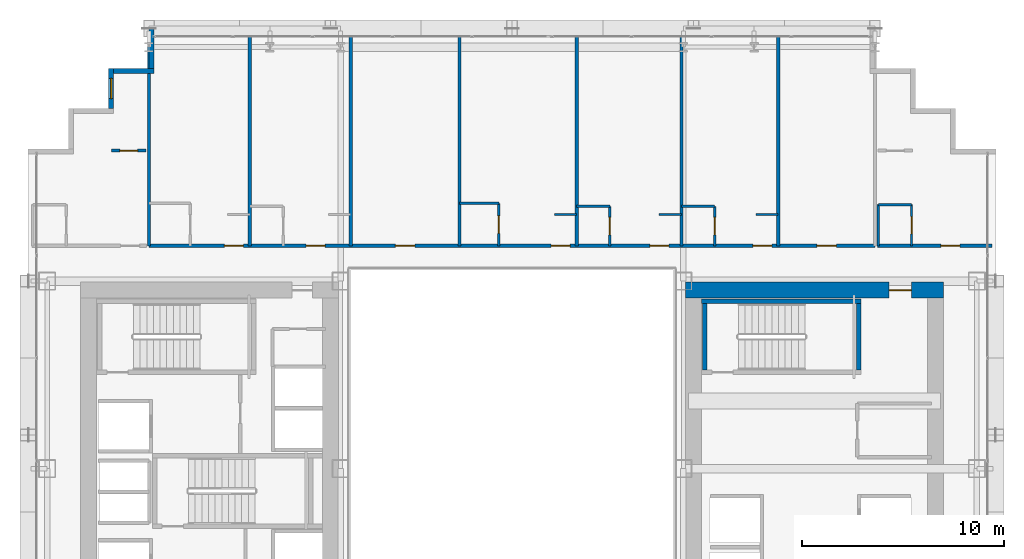
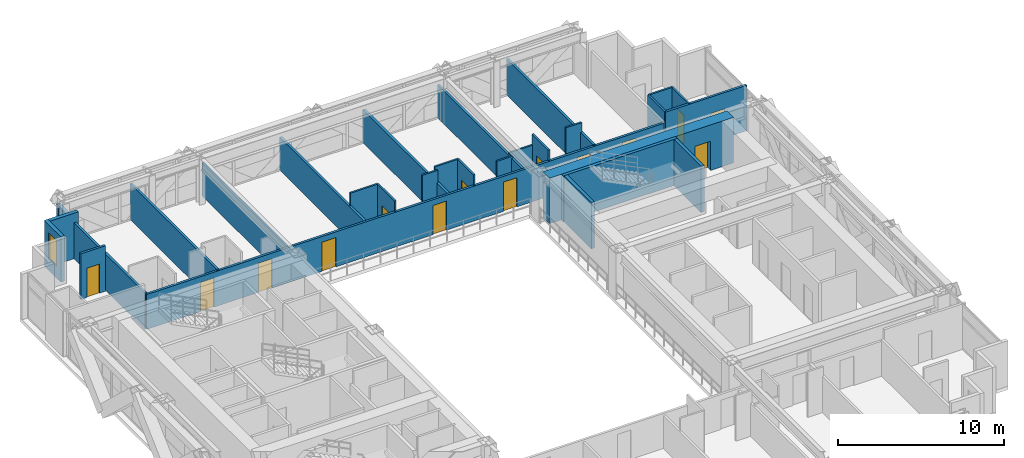
# One storey, part 33 of 38: 29 walls, 14 doors, 1 window, 15 openings.
"""IFC4 building model written with IfcOpenShell, lengths in metres."""

from ifc_helpers import new_model, si_unit, direction, frame, frame_2d, origin, place, context, subcontext, project, spatial, rectangle, extrude, source, transform, mapped, material, layer, layer_set, type_object, element, fill, save


model = new_model("IFC4")

# Units and contexts
model_context = context("Model", 3, precision=1e-05, world=origin(), true_north=direction((0.0, 1.0)))
body_context = subcontext(model_context, "Body", "Model", "MODEL_VIEW")
ifc_project = project(units=[si_unit("LENGTHUNIT", "METRE"), si_unit("AREAUNIT", "SQUARE_METRE"), si_unit("VOLUMEUNIT", "CUBIC_METRE"), si_unit("PLANEANGLEUNIT", "RADIAN"), si_unit("MASSUNIT", "GRAM", prefix="KILO")], contexts=[model_context])

# Site, building, storey
site_placement = place(None, origin())
site = spatial("IfcSite", under=ifc_project, at=site_placement, CompositionType="ELEMENT")
building_placement = place(site_placement, origin())
building = spatial("IfcBuilding", under=site, at=building_placement, Name="Ocotamira Hotel", CompositionType="ELEMENT")
storey_placement = place(building_placement, frame((0.0, 0.0, 74.39990234375)))
storey = spatial("IfcBuildingStorey", under=building, at=storey_placement, Name="L18", CompositionType="ELEMENT", Elevation=74.39990234375)

# Wall, opening, door
ifc_material_1 = material(Name="Concrete C60/75", Category="concrete")
ifc_layer_1 = layer(ifc_material_1, 0.800048828125)
ifc_layer_set_1 = layer_set([ifc_layer_1], Name="Concrete C60/75")
wall_type_1 = type_object("IfcWallType", Name="WL-CORE-800", PredefinedType="SHEAR", material=ifc_layer_set_1)
wall_1_placement = place(storey_placement, frame((40.60009765625, 37.0, 0.0), z_axis=(0.0, 0.0, 1.0), x_axis=(1.0, 0.0, 0.0)))
wall_1 = element("IfcWall", 1, at=wall_1_placement, inside=storey, type_object=wall_type_1, Name="L18 Shear Core Wall ECORE-N", PredefinedType="SHEAR", context=body_context, shape_type="SweptSolid", body=[
    extrude(rectangle(XDim=12.7998046875, YDim=0.800048828125, at=frame_2d((6.39990234375, 0.0))), origin(), (0.0, 0.0, 1.0), 3.35009765625),
])
opening_1_placement = place(wall_1_placement, frame((10.10009765625, 0.0, 0.0)))
opening_1 = element("IfcOpeningElement", 2, at=opening_1_placement, cuts=wall_1, Name="Opening D-FR1", PredefinedType="OPENING", context=body_context, shape_type="SweptSolid", body=[
    extrude(rectangle(XDim=1.10009765625, YDim=2.14990234375, at=frame_2d((0.550048828125, 1.074951171875))), frame((0.0, 0.41015625, 0.0), z_axis=(0.0, -1.0, 0.0), x_axis=(1.0, 0.0, 0.0)), (0.0, 0.0, 1.0), 0.820068359375),
])
ifc_material_2 = material(Name="Fire-rated acoustic timber-veneer door", Category="wood")
door_type_1 = type_object("IfcDoorType", Name="DR-FIRE-1100", OperationType="NOTDEFINED", PredefinedType="DOOR", material=ifc_material_2)
shared_shape_1 = source(origin(), body_context, "Body", "SweptSolid", [
    extrude(rectangle(XDim=1.10009765625, YDim=2.14990234375, at=frame_2d((0.550048828125, 1.074951171875))), frame((0.0, 0.02490234375, 0.0), z_axis=(0.0, -1.0, 0.0), x_axis=(1.0, 0.0, 0.0)), (0.0, 0.0, 1.0), 0.050048828125),
])
door_1_placement = place(opening_1_placement, origin())
door_1 = element("IfcDoor", 3, at=door_1_placement, inside=storey, type_object=door_type_1, Name="L18 Door ID-L18-ELOB-N-D [ID-L18-ELOB-N-D]", OperationType="SINGLE_SWING_LEFT", OverallHeight=2.14990234375, OverallWidth=1.10009765625, PredefinedType="DOOR", context=body_context, shape_type="MappedRepresentation", body=[
    mapped(shared_shape_1, transform((0.0, 0.0, 0.0), scale=1.0)),
])
fill(opening_1, door_1)

# Walls
ifc_material_3 = material(Name="Precast concrete C45/55", Category="concrete")
ifc_layer_2 = layer(ifc_material_3, 0.25)
ifc_layer_set_2 = layer_set([ifc_layer_2], Name="Precast concrete C45/55")
wall_type_2 = type_object("IfcWallType", Name="WL-EXT-SER-250", PredefinedType="SOLIDWALL", material=ifc_layer_set_2)
wall_2_placement = place(storey_placement, frame((14.125, 50.0, 0.0), z_axis=(0.0, 0.0, 1.0), x_axis=(0.0, -1.0, 0.0)))
element("IfcWall", 4, at=wall_2_placement, inside=storey, type_object=wall_type_2, Name="L18 Serrated Corner Wall 13", PredefinedType="SOLIDWALL", context=body_context, shape_type="SweptSolid", body=[
    extrude(rectangle(XDim=2.0, YDim=0.25, at=frame_2d((1.0, 0.0))), origin(), (0.0, 0.0, 1.0), 2.656982421875),
])
wall_3_placement = place(storey_placement, frame((14.25, 47.875, 0.0), z_axis=(0.0, 0.0, 1.0), x_axis=(-1.0, 0.0, 0.0)))
element("IfcWall", 5, at=wall_3_placement, inside=storey, type_object=wall_type_2, Name="L18 Serrated Corner Wall 14", PredefinedType="SOLIDWALL", context=body_context, shape_type="SweptSolid", body=[
    extrude(rectangle(XDim=2.0, YDim=0.25, at=frame_2d((1.0, 0.0))), origin(), (0.0, 0.0, 1.0), 3.35009765625),
])

# Wall, opening, window
wall_4_placement = place(storey_placement, frame((12.125, 48.0, 0.0), z_axis=(0.0, 0.0, 1.0), x_axis=(0.0, -1.0, 0.0)))
wall_4 = element("IfcWall", 6, at=wall_4_placement, inside=storey, type_object=wall_type_2, Name="L18 Serrated Corner Wall 15", PredefinedType="SOLIDWALL", context=body_context, shape_type="SweptSolid", body=[
    extrude(rectangle(XDim=2.0, YDim=0.25, at=frame_2d((1.0, 0.0))), origin(), (0.0, 0.0, 1.0), 3.35009765625),
])
opening_2_placement = place(wall_4_placement, frame((0.5, 0.0, 0.85009765625)))
opening_2 = element("IfcOpeningElement", 7, at=opening_2_placement, cuts=wall_4, Name="Opening WN-2", PredefinedType="OPENING", context=body_context, shape_type="SweptSolid", body=[
    extrude(rectangle(XDim=1.0, YDim=1.89990234375, at=frame_2d((0.5, 0.949951171875))), frame((0.0, 0.135009765625, 0.0), z_axis=(0.0, -1.0, 0.0), x_axis=(1.0, 0.0, 0.0)), (0.0, 0.0, 1.0), 0.27001953125),
])
ifc_material_4 = material(Name="Double-silver low-E solar glass", Category="glass")
window_type = type_object("IfcWindowType", Name="WIN-SER-1100", PartitioningType="SINGLE_PANEL", PredefinedType="WINDOW", material=ifc_material_4)
shared_shape_2 = source(origin(), body_context, "Body", "SweptSolid", [
    extrude(rectangle(XDim=1.0, YDim=1.89990234375, at=frame_2d((0.5, 0.949951171875))), frame((0.0, 0.030029296875, 0.0), z_axis=(0.0, -1.0, 0.0), x_axis=(1.0, 0.0, 0.0)), (0.0, 0.0, 1.0), 0.06005859375),
])
window_placement = place(opening_2_placement, origin())
window = element("IfcWindow", 8, at=window_placement, inside=storey, type_object=window_type, Name="L18 Serrated Corner Window 15", OverallHeight=1.89990234375, OverallWidth=1.0, PartitioningType="SINGLE_PANEL", PredefinedType="WINDOW", context=body_context, shape_type="MappedRepresentation", body=[
    mapped(shared_shape_2, transform((0.0, 0.0, 0.0), scale=1.0)),
])
fill(opening_2, window)

# Wall, opening, door
ifc_material_5 = material(Name="Acoustic double-layer fire gypsum board partition", Category="gypsum")
ifc_layer_3 = layer(ifc_material_5, 0.159912109375)
ifc_layer_set_3 = layer_set([ifc_layer_3], Name="Acoustic double-layer fire gypsum board partition")
wall_type_3 = type_object("IfcWallType", Name="WL-FIRE-160", PredefinedType="PARTITIONING", material=ifc_layer_set_3)
wall_5_placement = place(storey_placement, frame((50.1201171875, 39.199951171875, 0.0), z_axis=(0.0, 0.0, 1.0), x_axis=(1.0, 0.0, 0.0)))
wall_5 = element("IfcWall", 9, at=wall_5_placement, inside=storey, type_object=wall_type_3, Name="L18 Interior Wall PW-L18-Z1D-CNE-CW", PredefinedType="PARTITIONING", context=body_context, shape_type="SweptSolid", body=[
    extrude(rectangle(XDim=5.679931640625, YDim=0.159912109375, at=frame_2d((2.83984375, 0.0))), origin(), (0.0, 0.0, 1.0), 3.35009765625),
])
opening_3_placement = place(wall_5_placement, frame((3.14990234375, 0.0, 0.0)))
opening_3 = element("IfcOpeningElement", 10, at=opening_3_placement, cuts=wall_5, Name="Opening D-GR1", PredefinedType="OPENING", context=body_context, shape_type="SweptSolid", body=[
    extrude(rectangle(XDim=0.93994140625, YDim=2.14990234375, at=frame_2d((0.469970703125, 1.074951171875))), frame((0.0, 0.08984375, 0.0), z_axis=(0.0, -1.0, 0.0), x_axis=(1.0, 0.0, 0.0)), (0.0, 0.0, 1.0), 0.179931640625),
])
ifc_material_6 = material(Name="Solid-core walnut suite entrance fire door", Category="wood")
door_type_2 = type_object("IfcDoorType", Name="DR-GUEST-940", OperationType="NOTDEFINED", PredefinedType="DOOR", material=ifc_material_6)
shared_shape_3 = source(origin(), body_context, "Body", "SweptSolid", [
    extrude(rectangle(XDim=0.93994140625, YDim=2.14990234375, at=frame_2d((0.469970703125, 1.074951171875))), frame((0.0, 0.02490234375, 0.0), z_axis=(0.0, -1.0, 0.0), x_axis=(1.0, 0.0, 0.0)), (0.0, 0.0, 1.0), 0.050048828125),
])
door_2_placement = place(opening_3_placement, origin())
door_2 = element("IfcDoor", 11, at=door_2_placement, inside=storey, type_object=door_type_2, Name="L18 Door ID-L18-Z1D-CNE-CD [ID-L18-Z1D-CNE-CD]", OperationType="SINGLE_SWING_RIGHT", OverallHeight=2.14990234375, OverallWidth=0.93994140625, PredefinedType="DOOR", context=body_context, shape_type="MappedRepresentation", body=[
    mapped(shared_shape_3, transform((0.0, 0.0, 0.0), scale=1.0)),
])
fill(opening_3, door_2)

wall_6_placement = place(storey_placement, frame((12.14990234375, 43.919921875, 0.0), z_axis=(0.0, 0.0, 1.0), x_axis=(1.0, 0.0, 0.0)))
wall_6 = element("IfcWall", 12, at=wall_6_placement, inside=storey, type_object=wall_type_3, Name="L18 Interior Wall PW-L18-Z1D-CNW2-CW", PredefinedType="PARTITIONING", context=body_context, shape_type="SweptSolid", body=[
    extrude(rectangle(XDim=1.7001953125, YDim=0.159912109375, at=frame_2d((0.85009765625, 0.0))), origin(), (0.0, 0.0, 1.0), 3.35009765625),
])
opening_4_placement = place(wall_6_placement, frame((0.409912109375, 0.0, 0.0)))
opening_4 = element("IfcOpeningElement", 13, at=opening_4_placement, cuts=wall_6, Name="Opening D-SV2", PredefinedType="OPENING", context=body_context, shape_type="SweptSolid", body=[
    extrude(rectangle(XDim=0.8798828125, YDim=2.14990234375, at=frame_2d((0.43994140625, 1.074951171875))), frame((0.0, 0.08984375, 0.0), z_axis=(0.0, -1.0, 0.0), x_axis=(1.0, 0.0, 0.0)), (0.0, 0.0, 1.0), 0.179931640625),
])
ifc_material_7 = material(Name="Fire-rated painted steel service door", Category="steel")
door_type_3 = type_object("IfcDoorType", Name="DR-SERV-880", OperationType="NOTDEFINED", PredefinedType="DOOR", material=ifc_material_7)
shared_shape_4 = source(origin(), body_context, "Body", "SweptSolid", [
    extrude(rectangle(XDim=0.8798828125, YDim=2.14990234375, at=frame_2d((0.43994140625, 1.074951171875))), frame((0.0, 0.02490234375, 0.0), z_axis=(0.0, -1.0, 0.0), x_axis=(1.0, 0.0, 0.0)), (0.0, 0.0, 1.0), 0.050048828125),
])
door_3_placement = place(opening_4_placement, origin())
door_3 = element("IfcDoor", 14, at=door_3_placement, inside=storey, type_object=door_type_3, Name="L18 Door ID-L18-Z1D-CNW2-CD [ID-L18-Z1D-CNW2-CD]", OperationType="SINGLE_SWING_LEFT", OverallHeight=2.14990234375, OverallWidth=0.8798828125, PredefinedType="DOOR", context=body_context, shape_type="MappedRepresentation", body=[
    mapped(shared_shape_4, transform((0.0, 0.0, 0.0), scale=1.0)),
])
fill(opening_4, door_3)

# Wall, openings, doors
wall_7_placement = place(storey_placement, frame((14.0, 39.199951171875, 0.0), z_axis=(0.0, 0.0, 1.0), x_axis=(1.0, 0.0, 0.0)))
wall_7 = element("IfcWall", 15, at=wall_7_placement, inside=storey, type_object=wall_type_3, Name="L18 Interior Wall PW-L18-Z1DN-CORRW", PredefinedType="PARTITIONING", context=body_context, shape_type="SweptSolid", body=[
    extrude(rectangle(XDim=36.0, YDim=0.159912109375, at=frame_2d((18.0, 0.0))), origin(), (0.0, 0.0, 1.0), 2.571044921875),
])
opening_5_placement = place(wall_7_placement, frame((3.739990234375, 0.0, 0.0)))
opening_5 = element("IfcOpeningElement", 16, at=opening_5_placement, cuts=wall_7, Name="Opening D-GR1", PredefinedType="OPENING", context=body_context, shape_type="SweptSolid", body=[
    extrude(rectangle(XDim=0.93994140625, YDim=2.14990234375, at=frame_2d((0.469970703125, 1.074951171875))), frame((0.0, 0.08984375, 0.0), z_axis=(0.0, -1.0, 0.0), x_axis=(1.0, 0.0, 0.0)), (0.0, 0.0, 1.0), 0.179931640625),
])
opening_6_placement = place(wall_7_placement, frame((7.7900390625, 0.0, 0.0)))
opening_6 = element("IfcOpeningElement", 17, at=opening_6_placement, cuts=wall_7, Name="Opening D-GR1", PredefinedType="OPENING", context=body_context, shape_type="SweptSolid", body=[
    extrude(rectangle(XDim=0.93994140625, YDim=2.14990234375, at=frame_2d((0.469970703125, 1.074951171875))), frame((0.0, 0.08984375, 0.0), z_axis=(0.0, -1.0, 0.0), x_axis=(1.0, 0.0, 0.0)), (0.0, 0.0, 1.0), 0.179931640625),
])
opening_7_placement = place(wall_7_placement, frame((12.219970703125, 0.0, 0.0)))
opening_7 = element("IfcOpeningElement", 18, at=opening_7_placement, cuts=wall_7, Name="Opening D-SV4", PredefinedType="OPENING", context=body_context, shape_type="SweptSolid", body=[
    extrude(rectangle(XDim=0.9599609375, YDim=2.14990234375, at=frame_2d((0.47998046875, 1.074951171875))), frame((0.0, 0.08984375, 0.0), z_axis=(0.0, -1.0, 0.0), x_axis=(1.0, 0.0, 0.0)), (0.0, 0.0, 1.0), 0.179931640625),
])
opening_8_placement = place(wall_7_placement, frame((19.93994140625, 0.0, 0.0)))
opening_8 = element("IfcOpeningElement", 19, at=opening_8_placement, cuts=wall_7, Name="Opening D-GR1", PredefinedType="OPENING", context=body_context, shape_type="SweptSolid", body=[
    extrude(rectangle(XDim=0.93994140625, YDim=2.14990234375, at=frame_2d((0.469970703125, 1.074951171875))), frame((0.0, 0.08984375, 0.0), z_axis=(0.0, -1.0, 0.0), x_axis=(1.0, 0.0, 0.0)), (0.0, 0.0, 1.0), 0.179931640625),
])
opening_9_placement = place(wall_7_placement, frame((24.840087890625, 0.0, 0.0)))
opening_9 = element("IfcOpeningElement", 20, at=opening_9_placement, cuts=wall_7, Name="Opening D-GR1", PredefinedType="OPENING", context=body_context, shape_type="SweptSolid", body=[
    extrude(rectangle(XDim=0.93994140625, YDim=2.14990234375, at=frame_2d((0.469970703125, 1.074951171875))), frame((0.0, 0.08984375, 0.0), z_axis=(0.0, -1.0, 0.0), x_axis=(1.0, 0.0, 0.0)), (0.0, 0.0, 1.0), 0.179931640625),
])
opening_10_placement = place(wall_7_placement, frame((29.93994140625, 0.0, 0.0)))
opening_10 = element("IfcOpeningElement", 21, at=opening_10_placement, cuts=wall_7, Name="Opening D-GR1", PredefinedType="OPENING", context=body_context, shape_type="SweptSolid", body=[
    extrude(rectangle(XDim=0.93994140625, YDim=2.14990234375, at=frame_2d((0.469970703125, 1.074951171875))), frame((0.0, 0.08984375, 0.0), z_axis=(0.0, -1.0, 0.0), x_axis=(1.0, 0.0, 0.0)), (0.0, 0.0, 1.0), 0.179931640625),
])
opening_11_placement = place(wall_7_placement, frame((33.1201171875, 0.0, 0.0)))
opening_11 = element("IfcOpeningElement", 22, at=opening_11_placement, cuts=wall_7, Name="Opening D-SV4", PredefinedType="OPENING", context=body_context, shape_type="SweptSolid", body=[
    extrude(rectangle(XDim=0.9599609375, YDim=2.14990234375, at=frame_2d((0.47998046875, 1.074951171875))), frame((0.0, 0.08984375, 0.0), z_axis=(0.0, -1.0, 0.0), x_axis=(1.0, 0.0, 0.0)), (0.0, 0.0, 1.0), 0.179931640625),
])
ifc_material_8 = material(Name="Fire-rated accessible walnut salon door", Category="wood")
door_type_4 = type_object("IfcDoorType", Name="DR-SERV-960", OperationType="NOTDEFINED", PredefinedType="DOOR", material=ifc_material_8)
shared_shape_5 = source(origin(), body_context, "Body", "SweptSolid", [
    extrude(rectangle(XDim=0.9599609375, YDim=2.14990234375, at=frame_2d((0.47998046875, 1.074951171875))), frame((0.0, 0.02490234375, 0.0), z_axis=(0.0, -1.0, 0.0), x_axis=(1.0, 0.0, 0.0)), (0.0, 0.0, 1.0), 0.050048828125),
])
door_4_placement = place(opening_7_placement, origin())
door_4 = element("IfcDoor", 23, at=door_4_placement, inside=storey, type_object=door_type_4, Name="L18 Door ID-L18-Z1DN-AMD3 [ID-L18-Z1DN-AMD3]", OperationType="SINGLE_SWING_LEFT", OverallHeight=2.14990234375, OverallWidth=0.9599609375, PredefinedType="DOOR", context=body_context, shape_type="MappedRepresentation", body=[
    mapped(shared_shape_5, transform((0.0, 0.0, 0.0), scale=1.0)),
])
fill(opening_7, door_4)
door_5_placement = place(opening_11_placement, origin())
door_5 = element("IfcDoor", 24, at=door_5_placement, inside=storey, type_object=door_type_4, Name="L18 Door ID-L18-Z1DN-AMD7 [ID-L18-Z1DN-AMD7]", OperationType="SINGLE_SWING_LEFT", OverallHeight=2.14990234375, OverallWidth=0.9599609375, PredefinedType="DOOR", context=body_context, shape_type="MappedRepresentation", body=[
    mapped(shared_shape_5, transform((0.0, 0.0, 0.0), scale=1.0)),
])
fill(opening_11, door_5)
door_6_placement = place(opening_5_placement, origin())
door_6 = element("IfcDoor", 25, at=door_6_placement, inside=storey, type_object=door_type_2, Name="L18 Door ID-L18-Z1DN-RMD1 [ID-L18-Z1DN-RMD1]", OperationType="SINGLE_SWING_LEFT", OverallHeight=2.14990234375, OverallWidth=0.93994140625, PredefinedType="DOOR", context=body_context, shape_type="MappedRepresentation", body=[
    mapped(shared_shape_3, transform((0.0, 0.0, 0.0), scale=1.0)),
])
fill(opening_5, door_6)
door_7_placement = place(opening_6_placement, origin())
door_7 = element("IfcDoor", 26, at=door_7_placement, inside=storey, type_object=door_type_2, Name="L18 Door ID-L18-Z1DN-RMD2 [ID-L18-Z1DN-RMD2]", OperationType="SINGLE_SWING_RIGHT", OverallHeight=2.14990234375, OverallWidth=0.93994140625, PredefinedType="DOOR", context=body_context, shape_type="MappedRepresentation", body=[
    mapped(shared_shape_3, transform((0.0, 0.0, 0.0), scale=1.0)),
])
fill(opening_6, door_7)
door_8_placement = place(opening_8_placement, origin())
door_8 = element("IfcDoor", 27, at=door_8_placement, inside=storey, type_object=door_type_2, Name="L18 Door ID-L18-Z1DN-RMD4 [ID-L18-Z1DN-RMD4]", OperationType="SINGLE_SWING_RIGHT", OverallHeight=2.14990234375, OverallWidth=0.93994140625, PredefinedType="DOOR", context=body_context, shape_type="MappedRepresentation", body=[
    mapped(shared_shape_3, transform((0.0, 0.0, 0.0), scale=1.0)),
])
fill(opening_8, door_8)
door_9_placement = place(opening_9_placement, origin())
door_9 = element("IfcDoor", 28, at=door_9_placement, inside=storey, type_object=door_type_2, Name="L18 Door ID-L18-Z1DN-RMD5 [ID-L18-Z1DN-RMD5]", OperationType="SINGLE_SWING_LEFT", OverallHeight=2.14990234375, OverallWidth=0.93994140625, PredefinedType="DOOR", context=body_context, shape_type="MappedRepresentation", body=[
    mapped(shared_shape_3, transform((0.0, 0.0, 0.0), scale=1.0)),
])
fill(opening_9, door_9)
door_10_placement = place(opening_10_placement, origin())
door_10 = element("IfcDoor", 29, at=door_10_placement, inside=storey, type_object=door_type_2, Name="L18 Door ID-L18-Z1DN-RMD6 [ID-L18-Z1DN-RMD6]", OperationType="SINGLE_SWING_RIGHT", OverallHeight=2.14990234375, OverallWidth=0.93994140625, PredefinedType="DOOR", context=body_context, shape_type="MappedRepresentation", body=[
    mapped(shared_shape_3, transform((0.0, 0.0, 0.0), scale=1.0)),
])
fill(opening_10, door_10)

# Wall, opening, door
ifc_material_9 = material(Name="Moisture-resistant en-suite tile and gypsum partition", Category="gypsum")
ifc_layer_4 = layer(ifc_material_9, 0.1201171875)
ifc_layer_set_4 = layer_set([ifc_layer_4], Name="Moisture-resistant en-suite tile and gypsum partition")
wall_type_4 = type_object("IfcWallType", Name="WL-PART-120", PredefinedType="PARTITIONING", material=ifc_layer_set_4)
wall_8_placement = place(storey_placement, frame((51.81005859375, 39.199951171875, 0.0), z_axis=(0.0, 0.0, 1.0), x_axis=(0.0, 1.0, 0.0)))
wall_8 = element("IfcWall", 30, at=wall_8_placement, inside=storey, type_object=wall_type_4, Name="L18 Interior Wall PW-L18-Z1D-CNE-BE", PredefinedType="PARTITIONING", context=body_context, shape_type="SweptSolid", body=[
    extrude(rectangle(XDim=2.0400390625, YDim=0.1201171875, at=frame_2d((1.02001953125, 0.0))), origin(), (0.0, 0.0, 1.0), 3.35009765625),
])
opening_12_placement = place(wall_8_placement, frame((0.590087890625, 0.0, 0.0)))
opening_12 = element("IfcOpeningElement", 31, at=opening_12_placement, cuts=wall_8, Name="Opening D-BA1", PredefinedType="OPENING", context=body_context, shape_type="SweptSolid", body=[
    extrude(rectangle(XDim=0.860107421875, YDim=2.10009765625, at=frame_2d((0.43017578125, 1.050048828125))), frame((0.0, 0.070068359375, 0.0), z_axis=(0.0, -1.0, 0.0), x_axis=(1.0, 0.0, 0.0)), (0.0, 0.0, 1.0), 0.14013671875),
])
ifc_material_10 = material(Name="Moisture-sealed en-suite timber door", Category="wood")
door_type_5 = type_object("IfcDoorType", Name="DR-BATH-860", OperationType="NOTDEFINED", PredefinedType="DOOR", material=ifc_material_10)
shared_shape_6 = source(origin(), body_context, "Body", "SweptSolid", [
    extrude(rectangle(XDim=0.860107421875, YDim=2.10009765625, at=frame_2d((0.43017578125, 1.050048828125))), frame((0.0, 0.02490234375, 0.0), z_axis=(0.0, -1.0, 0.0), x_axis=(1.0, 0.0, 0.0)), (0.0, 0.0, 1.0), 0.050048828125),
])
door_11_placement = place(opening_12_placement, origin())
door_11 = element("IfcDoor", 32, at=door_11_placement, inside=storey, type_object=door_type_5, Name="L18 Door ID-L18-Z1D-CNE-BD [ID-L18-Z1D-CNE-BD]", OperationType="SINGLE_SWING_LEFT", OverallHeight=2.10009765625, OverallWidth=0.860107421875, PredefinedType="DOOR", context=body_context, shape_type="MappedRepresentation", body=[
    mapped(shared_shape_6, transform((0.0, 0.0, 0.0), scale=1.0)),
])
fill(opening_12, door_11)

# Walls
wall_9_placement = place(storey_placement, frame((50.159912109375, 39.199951171875, 0.0), z_axis=(0.0, 0.0, 1.0), x_axis=(0.0, 1.0, 0.0)))
element("IfcWall", 33, at=wall_9_placement, inside=storey, type_object=wall_type_4, Name="L18 Interior Wall PW-L18-Z1D-CNE-BW", PredefinedType="PARTITIONING", context=body_context, shape_type="SweptSolid", body=[
    extrude(rectangle(XDim=2.0400390625, YDim=0.1201171875, at=frame_2d((1.02001953125, 0.0))), origin(), (0.0, 0.0, 1.0), 3.35009765625),
])
wall_10_placement = place(storey_placement, frame((50.159912109375, 41.239990234375, 0.0), z_axis=(0.0, 0.0, 1.0), x_axis=(1.0, 0.0, 0.0)))
element("IfcWall", 34, at=wall_10_placement, inside=storey, type_object=wall_type_4, Name="L18 Interior Wall PW-L18-Z1D-CNE-BH", PredefinedType="PARTITIONING", context=body_context, shape_type="SweptSolid", body=[
    extrude(rectangle(XDim=1.650146484375, YDim=0.1201171875, at=frame_2d((0.8251953125, 0.0))), origin(), (0.0, 0.0, 1.0), 3.35009765625),
])

# Wall, opening, door
wall_11_placement = place(storey_placement, frame((31.35009765625, 39.199951171875, 0.0), z_axis=(0.0, 0.0, 1.0), x_axis=(0.0, 1.0, 0.0)))
wall_11 = element("IfcWall", 35, at=wall_11_placement, inside=storey, type_object=wall_type_4, Name="L18 Interior Wall PW-L18-Z1DN-BAE4", PredefinedType="PARTITIONING", context=body_context, shape_type="SweptSolid", body=[
    extrude(rectangle(XDim=2.10009765625, YDim=0.1201171875, at=frame_2d((1.050048828125, 0.0))), origin(), (0.0, 0.0, 1.0), 3.35009765625),
])
opening_13_placement = place(wall_11_placement, frame((0.6201171875, 0.0, 0.0)))
opening_13 = element("IfcOpeningElement", 36, at=opening_13_placement, cuts=wall_11, Name="Opening D-BA1", PredefinedType="OPENING", context=body_context, shape_type="SweptSolid", body=[
    extrude(rectangle(XDim=0.860107421875, YDim=2.10009765625, at=frame_2d((0.43017578125, 1.050048828125))), frame((0.0, 0.070068359375, 0.0), z_axis=(0.0, -1.0, 0.0), x_axis=(1.0, 0.0, 0.0)), (0.0, 0.0, 1.0), 0.14013671875),
])
door_12_placement = place(opening_13_placement, origin())
door_12 = element("IfcDoor", 37, at=door_12_placement, inside=storey, type_object=door_type_5, Name="L18 Door ID-L18-Z1DN-BAD4 [ID-L18-Z1DN-BAD4]", OperationType="SINGLE_SWING_LEFT", OverallHeight=2.10009765625, OverallWidth=0.860107421875, PredefinedType="DOOR", context=body_context, shape_type="MappedRepresentation", body=[
    mapped(shared_shape_6, transform((0.0, 0.0, 0.0), scale=1.0)),
])
fill(opening_13, door_12)

# Walls
wall_12_placement = place(storey_placement, frame((29.39990234375, 41.300048828125, 0.0), z_axis=(0.0, 0.0, 1.0), x_axis=(1.0, 0.0, 0.0)))
element("IfcWall", 38, at=wall_12_placement, inside=storey, type_object=wall_type_4, Name="L18 Interior Wall PW-L18-Z1DN-BAN4", PredefinedType="PARTITIONING", context=body_context, shape_type="SweptSolid", body=[
    extrude(rectangle(XDim=1.9501953125, YDim=0.1201171875, at=frame_2d((0.97509765625, 0.0))), origin(), (0.0, 0.0, 1.0), 3.35009765625),
])
wall_13_placement = place(storey_placement, frame((34.10009765625, 40.75, 0.0), z_axis=(0.0, 0.0, 1.0), x_axis=(1.0, 0.0, 0.0)))
element("IfcWall", 39, at=wall_13_placement, inside=storey, type_object=wall_type_4, Name="L18 Interior Wall PW-L18-Z1DN-DRN4", PredefinedType="PARTITIONING", context=body_context, shape_type="SweptSolid", body=[
    extrude(rectangle(XDim=1.099853515625, YDim=0.1201171875, at=frame_2d((0.5498046875, 0.0))), origin(), (0.0, 0.0, 1.0), 3.35009765625),
])

# Wall, opening, door
wall_14_placement = place(storey_placement, frame((36.85009765625, 39.199951171875, 0.0), z_axis=(0.0, 0.0, 1.0), x_axis=(0.0, 1.0, 0.0)))
wall_14 = element("IfcWall", 40, at=wall_14_placement, inside=storey, type_object=wall_type_4, Name="L18 Interior Wall PW-L18-Z1DN-BAE5", PredefinedType="PARTITIONING", context=body_context, shape_type="SweptSolid", body=[
    extrude(rectangle(XDim=1.949951171875, YDim=0.1201171875, at=frame_2d((0.97509765625, 0.0))), origin(), (0.0, 0.0, 1.0), 3.35009765625),
])
opening_14_placement = place(wall_14_placement, frame((0.544921875, 0.0, 0.0)))
opening_14 = element("IfcOpeningElement", 41, at=opening_14_placement, cuts=wall_14, Name="Opening D-BA1", PredefinedType="OPENING", context=body_context, shape_type="SweptSolid", body=[
    extrude(rectangle(XDim=0.860107421875, YDim=2.10009765625, at=frame_2d((0.43017578125, 1.050048828125))), frame((0.0, 0.070068359375, 0.0), z_axis=(0.0, -1.0, 0.0), x_axis=(1.0, 0.0, 0.0)), (0.0, 0.0, 1.0), 0.14013671875),
])
door_13_placement = place(opening_14_placement, origin())
door_13 = element("IfcDoor", 42, at=door_13_placement, inside=storey, type_object=door_type_5, Name="L18 Door ID-L18-Z1DN-BAD5 [ID-L18-Z1DN-BAD5]", OperationType="SINGLE_SWING_RIGHT", OverallHeight=2.10009765625, OverallWidth=0.860107421875, PredefinedType="DOOR", context=body_context, shape_type="MappedRepresentation", body=[
    mapped(shared_shape_6, transform((0.0, 0.0, 0.0), scale=1.0)),
])
fill(opening_14, door_13)

# Walls
wall_15_placement = place(storey_placement, frame((35.199951171875, 41.14990234375, 0.0), z_axis=(0.0, 0.0, 1.0), x_axis=(1.0, 0.0, 0.0)))
element("IfcWall", 43, at=wall_15_placement, inside=storey, type_object=wall_type_4, Name="L18 Interior Wall PW-L18-Z1DN-BAN5", PredefinedType="PARTITIONING", context=body_context, shape_type="SweptSolid", body=[
    extrude(rectangle(XDim=1.650146484375, YDim=0.1201171875, at=frame_2d((0.8251953125, 0.0))), origin(), (0.0, 0.0, 1.0), 3.35009765625),
])
wall_16_placement = place(storey_placement, frame((39.300048828125, 40.75, 0.0), z_axis=(0.0, 0.0, 1.0), x_axis=(1.0, 0.0, 0.0)))
element("IfcWall", 44, at=wall_16_placement, inside=storey, type_object=wall_type_4, Name="L18 Interior Wall PW-L18-Z1DN-DRN5", PredefinedType="PARTITIONING", context=body_context, shape_type="SweptSolid", body=[
    extrude(rectangle(XDim=1.099853515625, YDim=0.1201171875, at=frame_2d((0.5498046875, 0.0))), origin(), (0.0, 0.0, 1.0), 2.571044921875),
])

# Wall, opening, door
wall_17_placement = place(storey_placement, frame((42.050048828125, 39.199951171875, 0.0), z_axis=(0.0, 0.0, 1.0), x_axis=(0.0, 1.0, 0.0)))
wall_17 = element("IfcWall", 45, at=wall_17_placement, inside=storey, type_object=wall_type_4, Name="L18 Interior Wall PW-L18-Z1DN-BAE6", PredefinedType="PARTITIONING", context=body_context, shape_type="SweptSolid", body=[
    extrude(rectangle(XDim=1.949951171875, YDim=0.1201171875, at=frame_2d((0.97509765625, 0.0))), origin(), (0.0, 0.0, 1.0), 3.35009765625),
])
opening_15_placement = place(wall_17_placement, frame((0.544921875, 0.0, 0.0)))
opening_15 = element("IfcOpeningElement", 46, at=opening_15_placement, cuts=wall_17, Name="Opening D-BA1", PredefinedType="OPENING", context=body_context, shape_type="SweptSolid", body=[
    extrude(rectangle(XDim=0.860107421875, YDim=2.10009765625, at=frame_2d((0.43017578125, 1.050048828125))), frame((0.0, 0.070068359375, 0.0), z_axis=(0.0, -1.0, 0.0), x_axis=(1.0, 0.0, 0.0)), (0.0, 0.0, 1.0), 0.14013671875),
])
door_14_placement = place(opening_15_placement, origin())
door_14 = element("IfcDoor", 47, at=door_14_placement, inside=storey, type_object=door_type_5, Name="L18 Door ID-L18-Z1DN-BAD6 [ID-L18-Z1DN-BAD6]", OperationType="SINGLE_SWING_LEFT", OverallHeight=2.10009765625, OverallWidth=0.860107421875, PredefinedType="DOOR", context=body_context, shape_type="MappedRepresentation", body=[
    mapped(shared_shape_6, transform((0.0, 0.0, 0.0), scale=1.0)),
])
fill(opening_15, door_14)

# Walls
wall_18_placement = place(storey_placement, frame((40.39990234375, 41.14990234375, 0.0), z_axis=(0.0, 0.0, 1.0), x_axis=(1.0, 0.0, 0.0)))
element("IfcWall", 48, at=wall_18_placement, inside=storey, type_object=wall_type_4, Name="L18 Interior Wall PW-L18-Z1DN-BAN6", PredefinedType="PARTITIONING", context=body_context, shape_type="SweptSolid", body=[
    extrude(rectangle(XDim=1.650146484375, YDim=0.1201171875, at=frame_2d((0.8251953125, 0.0))), origin(), (0.0, 0.0, 1.0), 2.571044921875),
])
wall_19_placement = place(storey_placement, frame((44.10009765625, 40.75, 0.0), z_axis=(0.0, 0.0, 1.0), x_axis=(1.0, 0.0, 0.0)))
element("IfcWall", 49, at=wall_19_placement, inside=storey, type_object=wall_type_4, Name="L18 Interior Wall PW-L18-Z1DN-DRN6", PredefinedType="PARTITIONING", context=body_context, shape_type="SweptSolid", body=[
    extrude(rectangle(XDim=1.099853515625, YDim=0.1201171875, at=frame_2d((0.5498046875, 0.0))), origin(), (0.0, 0.0, 1.0), 3.35009765625),
])
ifc_material_11 = material(Name="Acoustic double-stud hospitality gypsum partition", Category="gypsum")
ifc_layer_5 = layer(ifc_material_11, 0.159912109375)
ifc_layer_set_5 = layer_set([ifc_layer_5], Name="Acoustic double-stud hospitality gypsum partition")
wall_type_5 = type_object("IfcWallType", Name="WL-PART-160", PredefinedType="PARTITIONING", material=ifc_layer_set_5)
for number, where, z_axis, x_axis, name in (
    (50, (14.0, 39.199951171875, 0.0), (0.0, 0.0, 1.0), (0.0, 1.0, 0.0), "L18 Interior Wall PW-L18-Z1DN-PW0"),
    (51, (19.0, 39.199951171875, 0.0), (0.0, 0.0, 1.0), (0.0, 1.0, 0.0), "L18 Interior Wall PW-L18-Z1DN-PW1"),
):
    element("IfcWall", number, at=place(storey_placement, frame(where, z_axis=z_axis, x_axis=x_axis)), inside=storey, type_object=wall_type_5, Name=name, PredefinedType="PARTITIONING", context=body_context, shape_type="SweptSolid", body=[
        extrude(rectangle(XDim=10.43994140625, YDim=0.159912109375, at=frame_2d((5.219970703125, 0.0))), origin(), (0.0, 0.0, 1.0), 2.656982421875),
    ])
for number, where, z_axis, x_axis, name in (
    (52, (24.0, 39.199951171875, 0.0), (0.0, 0.0, 1.0), (0.0, 1.0, 0.0), "L18 Interior Wall PW-L18-Z1DN-PW2"),
    (53, (29.39990234375, 39.199951171875, 0.0), (0.0, 0.0, 1.0), (0.0, 1.0, 0.0), "L18 Interior Wall PW-L18-Z1DN-PW3"),
    (54, (40.39990234375, 39.199951171875, 0.0), (0.0, 0.0, 1.0), (0.0, 1.0, 0.0), "L18 Interior Wall PW-L18-Z1DN-PW5"),
):
    element("IfcWall", number, at=place(storey_placement, frame(where, z_axis=z_axis, x_axis=x_axis)), inside=storey, type_object=wall_type_5, Name=name, PredefinedType="PARTITIONING", context=body_context, shape_type="SweptSolid", body=[
        extrude(rectangle(XDim=10.43994140625, YDim=0.159912109375, at=frame_2d((5.219970703125, 0.0))), origin(), (0.0, 0.0, 1.0), 2.423095703125),
    ])
wall_20_placement = place(storey_placement, frame((45.199951171875, 39.199951171875, 0.0), z_axis=(0.0, 0.0, 1.0), x_axis=(0.0, 1.0, 0.0)))
element("IfcWall", 55, at=wall_20_placement, inside=storey, type_object=wall_type_5, Name="L18 Interior Wall PW-L18-Z1DN-PW6", PredefinedType="PARTITIONING", context=body_context, shape_type="SweptSolid", body=[
    extrude(rectangle(XDim=10.43994140625, YDim=0.159912109375, at=frame_2d((5.219970703125, 0.0))), origin(), (0.0, 0.0, 1.0), 2.656982421875),
])
ifc_material_12 = material(Name="Double-stud suite party gypsum partition", Category="gypsum")
ifc_layer_6 = layer(ifc_material_12, 0.175048828125)
ifc_layer_set_6 = layer_set([ifc_layer_6], Name="Double-stud suite party gypsum partition")
wall_type_6 = type_object("IfcWallType", Name="WL-PART-175", PredefinedType="PARTITIONING", material=ifc_layer_set_6)
wall_21_placement = place(storey_placement, frame((35.199951171875, 39.199951171875, 0.0), z_axis=(0.0, 0.0, 1.0), x_axis=(0.0, 1.0, 0.0)))
element("IfcWall", 56, at=wall_21_placement, inside=storey, type_object=wall_type_6, Name="L18 Interior Wall PW-L18-Z1DN-PW4", PredefinedType="PARTITIONING", context=body_context, shape_type="SweptSolid", body=[
    extrude(rectangle(XDim=10.43994140625, YDim=0.175048828125, at=frame_2d((5.219970703125, 0.0))), origin(), (0.0, 0.0, 1.0), 2.423095703125),
])
ifc_material_13 = material(Name="Concrete C50/60", Category="concrete")
ifc_layer_7 = layer(ifc_material_13, 0.219970703125)
ifc_layer_set_7 = layer_set([ifc_layer_7], Name="Concrete C50/60")
wall_type_7 = type_object("IfcWallType", Name="WL-STAIR-220", PredefinedType="SHEAR", material=ifc_layer_set_7)
wall_22_placement = place(storey_placement, frame((41.39990234375, 36.43994140625, 0.0), z_axis=(0.0, 0.0, 1.0), x_axis=(1.0, 0.0, 0.0)))
element("IfcWall", 57, at=wall_22_placement, inside=storey, type_object=wall_type_7, Name="L18 Stair Shaft Structural Wall ST-4-N", PredefinedType="SHEAR", context=body_context, shape_type="SweptSolid", body=[
    extrude(rectangle(XDim=7.91015625, YDim=0.219970703125, at=frame_2d((3.955078125, 0.0))), origin(), (0.0, 0.0, 1.0), 3.400146484375),
])
for number, where, z_axis, x_axis, name in (
    (58, (41.56005859375, 33.050048828125, 0.0), (0.0, 0.0, 1.0), (0.0, 1.0, 0.0), "L18 Stair Shaft Structural Wall ST-4-W"),
    (59, (49.199951171875, 33.050048828125, 0.0), (0.0, 0.0, 1.0), (0.0, 1.0, 0.0), "L18 Stair Shaft Structural Wall ST-4-E"),
):
    element("IfcWall", number, at=place(storey_placement, frame(where, z_axis=z_axis, x_axis=x_axis)), inside=storey, type_object=wall_type_7, Name=name, PredefinedType="SHEAR", context=body_context, shape_type="SweptSolid", body=[
        extrude(rectangle(XDim=3.280029296875, YDim=0.219970703125, at=frame_2d((1.64013671875, 0.0))), origin(), (0.0, 0.0, 1.0), 3.400146484375),
    ])

save(model, "model.ifc")
